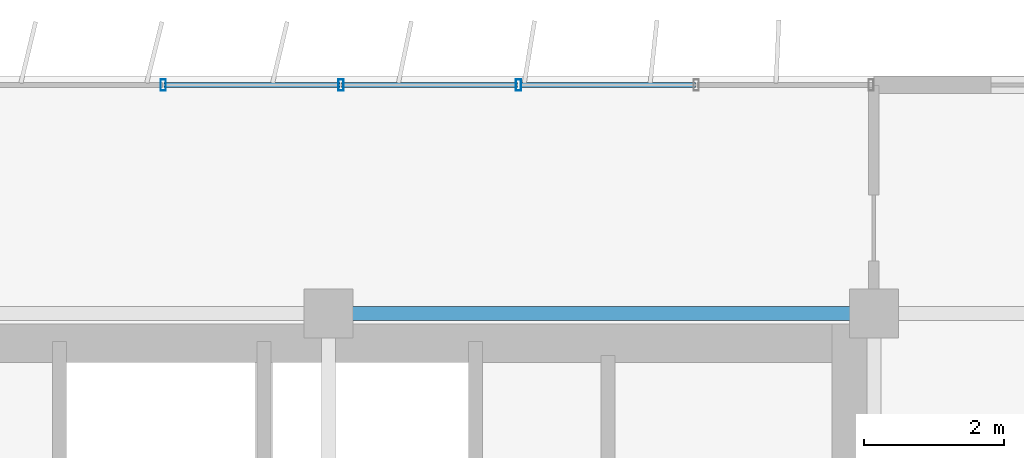
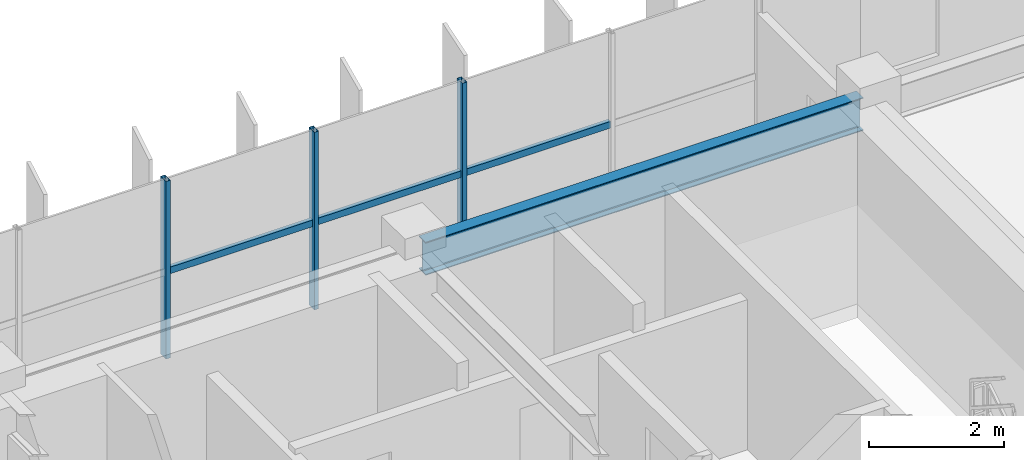
# One storey, part 13 of 24: 6 members, 1 beam, 1 element without a shape of its own.
"""IFC4 building model written with IfcOpenShell, lengths in metres."""

from ifc_helpers import new_model, si_unit, direction, frame, origin, origin_2d, place, context, subcontext, project, spatial, hollow_rectangle, i_section, extrude, source, transform, mapped, material, material_profile, profile_set, type_object, element, aggregate, save


model = new_model("IFC4")

# Units and contexts
model_context = context("Model", 3, precision=1e-05, world=origin(), true_north=direction((0.0, 1.0)))
body_context = subcontext(model_context, "Body", "Model", "MODEL_VIEW")
ifc_project = project(units=[si_unit("LENGTHUNIT", "METRE"), si_unit("AREAUNIT", "SQUARE_METRE"), si_unit("VOLUMEUNIT", "CUBIC_METRE"), si_unit("PLANEANGLEUNIT", "RADIAN"), si_unit("MASSUNIT", "GRAM", prefix="KILO")], contexts=[model_context])

# Site, building, storey
site_placement = place(None, origin())
site = spatial("IfcSite", under=ifc_project, at=site_placement, CompositionType="ELEMENT")
building_placement = place(site_placement, origin())
building = spatial("IfcBuilding", under=site, at=building_placement, Name="Trelvane Seafront Commons", CompositionType="ELEMENT")
storey_placement = place(building_placement, frame((0.0, 0.0, 178.89990234375)))
storey = spatial("IfcBuildingStorey", under=building, at=storey_placement, Name="L47", CompositionType="ELEMENT", Elevation=178.89990234375)

# Beam
ifc_material_1 = material(Name="Steel SM355 (S355)", Category="steel")
ifc_material_profile_1 = material_profile(ifc_material_1, i_section(OverallWidth=0.199951171875, OverallDepth=0.60009765625, WebThickness=0.010986328125, FlangeThickness=0.01708984375, at=origin_2d()), Name="H-600x200x11x17")
ifc_profile_set_1 = profile_set([ifc_material_profile_1], Name="Steel SM355 (S355)")
beam_type = type_object("IfcBeamType", Name="STR-SPD-H600", PredefinedType="SPANDREL", material=ifc_profile_set_1)
shared_shape_1 = source(origin(), body_context, "Body", "SweptSolid", [
    extrude(i_section(OverallWidth=0.199951171875, OverallDepth=0.60009765625, WebThickness=0.010986328125, FlangeThickness=0.01708984375, at=origin_2d()), origin(), (0.0, 0.0, 1.0), 7.5),
])
beam_placement = place(storey_placement, frame((51.14990234375, 45.10009765625, 2.920166015625), z_axis=(1.0, 0.0, 0.0), x_axis=(0.0, 1.0, 0.0)))
element("IfcBeam", 1, at=beam_placement, inside=storey, type_object=beam_type, Name="L47 Primary Girder G-27", PredefinedType="SPANDREL", context=body_context, shape_type="MappedRepresentation", body=[
    mapped(shared_shape_1, transform((0.0, 0.0, 0.0), x_axis=(1.0, 0.0, 0.0), y_axis=(0.0, 1.0, 0.0), z_axis=(0.0, 0.0, 1.0), scale=1.0)),
])

# Curtain wall, members
ifc_material_2 = material(Name="Anodised pale-silver aluminium", Category="aluminium")
curtain_wall_type = type_object("IfcCurtainWallType", Name="ARCH-CW5-UPTOWER", PredefinedType="NOTDEFINED", material=ifc_material_2)
curtain_wall_placement = place(storey_placement, origin())
curtain_wall = element("IfcCurtainWall", 2, at=curtain_wall_placement, inside=storey, type_object=curtain_wall_type, Name="CW-L47-0075", PredefinedType="NOTDEFINED")
ifc_material_profile_2 = material_profile(ifc_material_2, hollow_rectangle(XDim=0.070068359375, YDim=0.1201171875, WallThickness=0.00390625, at=origin_2d()), Name="TRAN-70x120x4")
ifc_profile_set_2 = profile_set([ifc_material_profile_2], Name="Anodised pale-silver aluminium")
member_type_1 = type_object("IfcMemberType", Name="ARCH-CW-TRAN-120", PredefinedType="USERDEFINED", material=ifc_profile_set_2)
shared_shape_2 = source(origin(), body_context, "Body", "SweptSolid", [
    extrude(hollow_rectangle(XDim=0.070068359375, YDim=0.1201171875, WallThickness=0.00390625, at=origin_2d()), origin(), (0.0, 0.0, 1.0), 2.51708984375),
])
member_1_placement = place(storey_placement, frame((51.1884765625, 48.3701171875, 1.546142578125), z_axis=(1.0, 0.0, 0.0), x_axis=(0.0, 1.0, 0.0)))
member_1 = element("IfcMember", 3, at=member_1_placement, type_object=member_type_1, Name="CW-L47-0075-T14", ObjectType="TRANSOM", PredefinedType="USERDEFINED", context=body_context, shape_type="MappedRepresentation", body=[
    mapped(shared_shape_2, transform((0.0, 0.0, 0.0), x_axis=(1.0, 0.0, 0.0), y_axis=(0.0, 1.0, 0.0), z_axis=(0.0, 0.0, 1.0), scale=1.0)),
])
shared_shape_3 = source(origin(), body_context, "Body", "SweptSolid", [
    extrude(hollow_rectangle(XDim=0.070068359375, YDim=0.1201171875, WallThickness=0.00390625, at=origin_2d()), origin(), (0.0, 0.0, 1.0), 2.517333984375),
])
member_2_placement = place(storey_placement, frame((48.647216796875, 48.3701171875, 1.546142578125), z_axis=(1.0, 0.0, 0.0), x_axis=(0.0, 1.0, 0.0)))
member_2 = element("IfcMember", 4, at=member_2_placement, type_object=member_type_1, Name="CW-L47-0075-T13", ObjectType="TRANSOM", PredefinedType="USERDEFINED", context=body_context, shape_type="MappedRepresentation", body=[
    mapped(shared_shape_3, transform((0.0, 0.0, 0.0), x_axis=(1.0, 0.0, 0.0), y_axis=(0.0, 1.0, 0.0), z_axis=(0.0, 0.0, 1.0), scale=1.0)),
])
member_3_placement = place(storey_placement, frame((53.7294921875, 48.3701171875, 1.546142578125), z_axis=(1.0, 0.0, 0.0), x_axis=(0.0, 1.0, 0.0)))
member_3 = element("IfcMember", 5, at=member_3_placement, type_object=member_type_1, Name="CW-L47-0075-T15", ObjectType="TRANSOM", PredefinedType="USERDEFINED", context=body_context, shape_type="MappedRepresentation", body=[
    mapped(shared_shape_3, transform((0.0, 0.0, 0.0), x_axis=(1.0, 0.0, 0.0), y_axis=(0.0, 1.0, 0.0), z_axis=(0.0, 0.0, 1.0), scale=1.0)),
])
ifc_material_profile_3 = material_profile(ifc_material_2, hollow_rectangle(XDim=0.074951171875, YDim=0.159912109375, WallThickness=0.00390625, at=origin_2d()), Name="MULL-75x160x4")
ifc_profile_set_3 = profile_set([ifc_material_profile_3], Name="Anodised pale-silver aluminium")
member_type_2 = type_object("IfcMemberType", Name="ARCH-CW-MULL-160", PredefinedType="MULLION", material=ifc_profile_set_3)
shared_shape_4 = source(origin(), body_context, "Body", "SweptSolid", [
    extrude(hollow_rectangle(XDim=0.074951171875, YDim=0.159912109375, WallThickness=0.00390625, at=origin_2d()), origin(), (0.0, 0.0, 1.0), 3.22021484375),
])
member_4_placement = place(storey_placement, frame((48.63525390625, 48.3701171875, 0.0), z_axis=(0.0, 0.0, 1.0), x_axis=(1.0, 0.0, 0.0)))
member_4 = element("IfcMember", 6, at=member_4_placement, type_object=member_type_2, Name="CW-L47-0075-M13", PredefinedType="MULLION", context=body_context, shape_type="MappedRepresentation", body=[
    mapped(shared_shape_4, transform((0.0, 0.0, 0.0), x_axis=(1.0, 0.0, 0.0), y_axis=(0.0, 1.0, 0.0), z_axis=(0.0, 0.0, 1.0), scale=1.0)),
])
member_5_placement = place(storey_placement, frame((51.176513671875, 48.3701171875, 0.0), z_axis=(0.0, 0.0, 1.0), x_axis=(1.0, 0.0, 0.0)))
member_5 = element("IfcMember", 7, at=member_5_placement, type_object=member_type_2, Name="CW-L47-0075-M14", PredefinedType="MULLION", context=body_context, shape_type="MappedRepresentation", body=[
    mapped(shared_shape_4, transform((0.0, 0.0, 0.0), x_axis=(1.0, 0.0, 0.0), y_axis=(0.0, 1.0, 0.0), z_axis=(0.0, 0.0, 1.0), scale=1.0)),
])
member_6_placement = place(storey_placement, frame((53.717529296875, 48.3701171875, 0.0), z_axis=(0.0, 0.0, 1.0), x_axis=(1.0, 0.0, 0.0)))
member_6 = element("IfcMember", 8, at=member_6_placement, type_object=member_type_2, Name="CW-L47-0075-M15", PredefinedType="MULLION", context=body_context, shape_type="MappedRepresentation", body=[
    mapped(shared_shape_4, transform((0.0, 0.0, 0.0), x_axis=(1.0, 0.0, 0.0), y_axis=(0.0, 1.0, 0.0), z_axis=(0.0, 0.0, 1.0), scale=1.0)),
])
aggregate(curtain_wall, [member_4, member_5, member_6, member_2, member_1, member_3])

save(model, "model.ifc")
